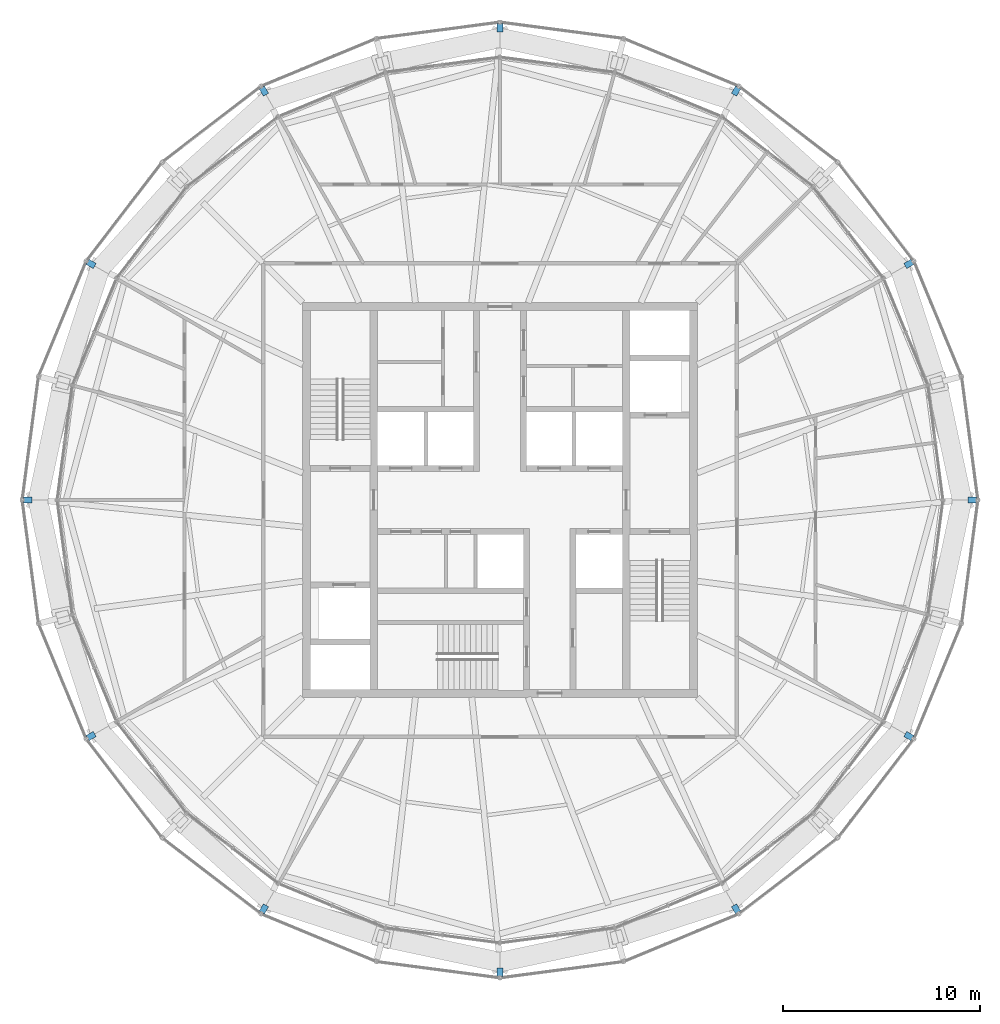
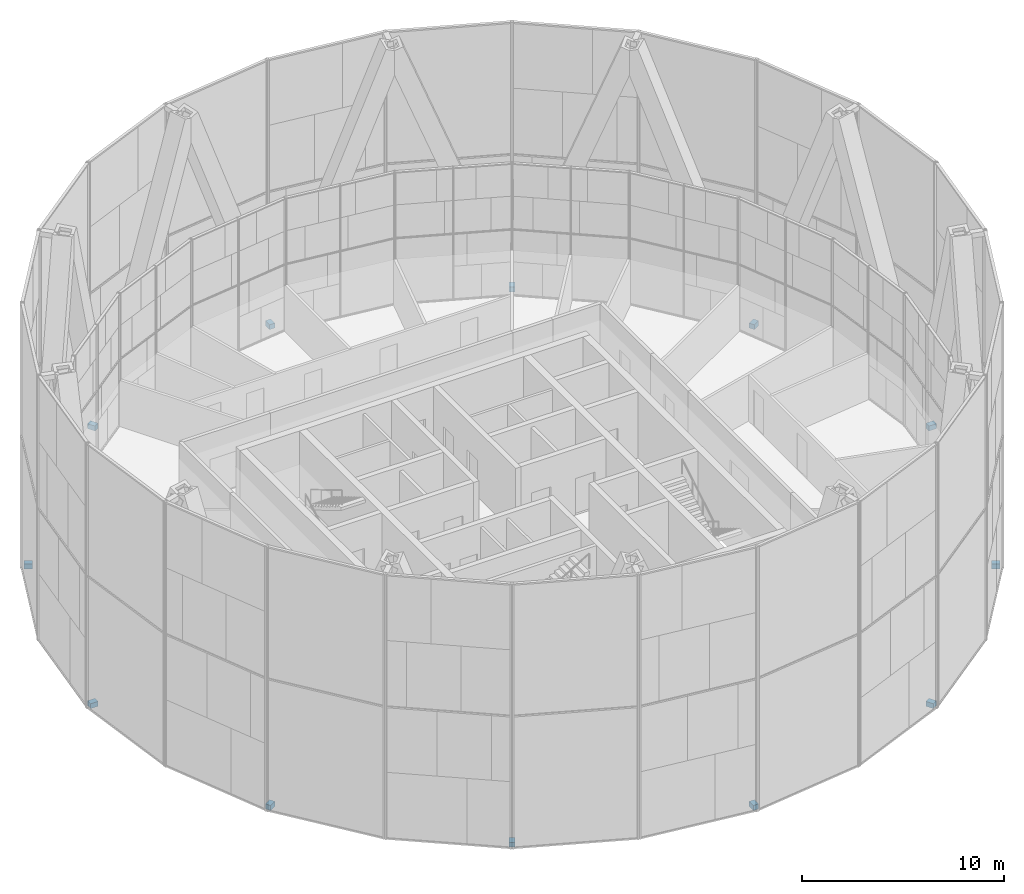
# One storey, part 21 of 22: 12 discrete accessories.
"""IFC4 building model written with IfcOpenShell, lengths in metres."""

import ifcopenshell
import ifcopenshell.guid

model = None  # the IFC model being written
_history = None  # IfcOwnerHistory: only IFC2X3 demands one
_inside = {}  # id of a spatial element -> (the spatial element, [elements in it])
_under = {}  # id of a project, library or spatial element -> (it, [spatial elements below it])
_declared = {}  # id of a project -> (the project, [libraries it declares])
_typed = {}  # id of a type object -> (the type object, [elements of that type])
_made_of = {}  # id of a material, layer set ... -> (it, [elements and type objects made of it])


def new_model(schema):
    """Start an empty IFC model of exactly this schema.

    Asked for "IFC4X3", IfcOpenShell would pick the latest addendum, in which some entities
    have other attributes; the version numbers below select the first issue.
    IFC2X3 requires an IfcOwnerHistory on every rooted entity: one is made here for all.
    """
    global model, _history
    if schema == "IFC4X3":
        model = ifcopenshell.file(schema_version=(4, 3, 0, 0))
    else:
        model = ifcopenshell.file(schema=schema)
    _inside.clear()
    _under.clear()
    _declared.clear()
    _typed.clear()
    _made_of.clear()
    _history = None
    if model.schema == "IFC2X3":
        org = make("IfcOrganization", Name="unknown")
        user = make(
            "IfcPersonAndOrganization",
            ThePerson=make("IfcPerson", FamilyName="unknown"),
            TheOrganization=org,
        )
        app = make(
            "IfcApplication",
            ApplicationDeveloper=org,
            Version="unknown",
            ApplicationFullName="unknown",
            ApplicationIdentifier="unknown",
        )
        _history = make(
            "IfcOwnerHistory",
            OwningUser=user,
            OwningApplication=app,
            ChangeAction="ADDED",
            CreationDate=0,
        )
    return model


def make(cls, **values):
    """One entity of the class cls with the attributes given. An attribute that is None is left unset."""
    return model.create_entity(
        cls, **{name: value for name, value in values.items() if value is not None}
    )


def rooted(cls, **values):
    """An entity with a GlobalId (a new one), such as an element, a storey or a relation."""
    return make(cls, GlobalId=ifcopenshell.guid.new(), OwnerHistory=_history, **values)


def si_unit(unit_type, name, prefix=None):
    """IfcSIUnit, for example si_unit("LENGTHUNIT", "METRE", prefix="MILLI")."""
    return make("IfcSIUnit", UnitType=unit_type, Prefix=prefix, Name=name)


def assignment(units):
    """IfcUnitAssignment: the units of a project."""
    return None if units is None else make("IfcUnitAssignment", Units=units)


def point(xyz):
    """IfcCartesianPoint."""
    return None if xyz is None else make("IfcCartesianPoint", Coordinates=xyz)


def direction(xyz):
    """IfcDirection."""
    return None if xyz is None else make("IfcDirection", DirectionRatios=xyz)


def frame(location, z_axis=None, x_axis=None):
    """IfcAxis2Placement3D, a coordinate frame: its origin and axes. An axis left out is left unset."""
    return make(
        "IfcAxis2Placement3D",
        Location=point(location),
        Axis=direction(z_axis),
        RefDirection=direction(x_axis),
    )


def frame_2d(location, x_axis=None):
    """IfcAxis2Placement2D, a coordinate frame in the plane: its origin and x axis."""
    return make(
        "IfcAxis2Placement2D", Location=point(location), RefDirection=direction(x_axis)
    )


def origin():
    """The frame at (0, 0, 0) with its axes left unset."""
    return frame((0.0, 0.0, 0.0))


def origin_2d():
    """The frame at (0, 0) in the plane with its x axis left unset."""
    return frame_2d((0.0, 0.0))


def place(relative_to, where):
    """IfcLocalPlacement: puts the frame where relative to a parent placement (None: the world)."""
    return make(
        "IfcLocalPlacement", PlacementRelTo=relative_to, RelativePlacement=where
    )


def context(
    kind, dimensions, precision=None, world=None, true_north=None, identifier=None
):
    """IfcGeometricRepresentationContext, for example the 3D "Model" context."""
    return make(
        "IfcGeometricRepresentationContext",
        ContextIdentifier=identifier,
        ContextType=kind,
        CoordinateSpaceDimension=dimensions,
        Precision=precision,
        WorldCoordinateSystem=world,
        TrueNorth=true_north,
    )


def subcontext(parent, identifier, kind, view, scale=None):
    """IfcGeometricRepresentationSubContext, for example "Body" below "Model"."""
    return make(
        "IfcGeometricRepresentationSubContext",
        ContextIdentifier=identifier,
        ContextType=kind,
        ParentContext=parent,
        TargetScale=scale,
        TargetView=view,
    )


def project(units=None, contexts=None):
    """IfcProject with its units and contexts."""
    return rooted(
        "IfcProject",
        Name="project",
        RepresentationContexts=contexts,
        UnitsInContext=assignment(units),
    )


def spatial(cls, under=None, at=None, **own):
    """A site, building, storey or space (cls), placed at a placement, below another one or the project."""
    s = rooted(cls, ObjectPlacement=at, **own)
    if under is not None:
        _under.setdefault(under.id(), (under, []))[1].append(s)
    return s


def profile(cls, at=None, kind="AREA", **sizes):
    """A parametric profile (cls). Its sizes go by their IFC names, for example OverallWidth=200.0."""
    return make(cls, ProfileType=kind, Position=at, **sizes)


def rectangle(**sizes):
    """IfcRectangleProfileDef."""
    return profile("IfcRectangleProfileDef", **sizes)


def extrude(swept, where, along, depth):
    """IfcExtrudedAreaSolid: the profile swept, set in the frame where, extruded along a direction by depth."""
    return make(
        "IfcExtrudedAreaSolid",
        SweptArea=swept,
        Position=where,
        ExtrudedDirection=direction(along),
        Depth=depth,
    )


def shape(context_of_items, identifier, shape_type, items):
    """IfcShapeRepresentation: the items that make up one representation, for example the "Body"."""
    return make(
        "IfcShapeRepresentation",
        ContextOfItems=context_of_items,
        RepresentationIdentifier=identifier,
        RepresentationType=shape_type,
        Items=items,
    )


def material(Name=None, Category=None):
    """IfcMaterial."""
    return make("IfcMaterial", Name=Name, Category=Category)


def made_of(thing, what):
    """Note that an element or type object is made of a material, layer set ...; save() writes the relation."""
    if what is not None:
        _made_of.setdefault(what.id(), (what, []))[1].append(thing)
    return thing


def type_object(cls, material=None, **own):
    """A type object (cls), such as IfcWallType, which elements share."""
    return made_of(rooted(cls, **own), material)


def element(
    cls,
    number,
    at=None,
    inside=None,
    cuts=None,
    type_object=None,
    material=None,
    context=None,
    identifier="Body",
    shape_type=None,
    held_by="IfcProductDefinitionShape",
    body=None,
    shapes=None,
    **own,
):
    """One element of the class cls, such as IfcWall. Its Tag is "e" and its number.

    at: its placement. inside: the storey or other place that contains it. cuts: it is an
    opening in that element (IfcRelVoidsElement). A single representation is given by context,
    identifier, shape_type and body (its items); several are given by shapes. held_by: the class
    of the entity that holds the representations. save() writes the other relations.
    """
    e = rooted(cls, Tag="e%d" % number, ObjectPlacement=at, **own)
    if body is not None:
        shapes = [shape(context, identifier, shape_type, body)]
    if shapes is not None:
        e.Representation = make(held_by, Representations=shapes)
    if inside is not None:
        _inside.setdefault(inside.id(), (inside, []))[1].append(e)
    if cuts is not None:
        rooted(
            "IfcRelVoidsElement", RelatingBuildingElement=cuts, RelatedOpeningElement=e
        )
    if type_object is not None:
        _typed.setdefault(type_object.id(), (type_object, []))[1].append(e)
    return made_of(e, material)


def aggregate(whole, parts):
    """IfcRelAggregates: a whole, such as a stair, and the parts it consists of."""
    return rooted("IfcRelAggregates", RelatingObject=whole, RelatedObjects=parts)


def save(model, path):
    """Write the relations noted so far, then the file.

    IfcRelAggregates (storeys below a building ...), IfcRelContainedInSpatialStructure (elements
    in a storey), IfcRelDefinesByType, IfcRelAssociatesMaterial and IfcRelDeclares: one each for
    every whole, place, type object, material and project.
    """
    for whole, parts in _under.values():
        aggregate(whole, parts)
    for where, things in _inside.values():
        rooted(
            "IfcRelContainedInSpatialStructure",
            RelatedElements=things,
            RelatingStructure=where,
        )
    for kind, things in _typed.values():
        rooted("IfcRelDefinesByType", RelatedObjects=things, RelatingType=kind)
    for what, things in _made_of.values():
        rooted("IfcRelAssociatesMaterial", RelatedObjects=things, RelatingMaterial=what)
    for by, libraries in _declared.values():
        rooted("IfcRelDeclares", RelatingContext=by, RelatedDefinitions=libraries)
    model.write(path)


model = new_model("IFC4")

# Units and contexts
model_context = context("Model", 3, precision=1e-05, world=origin(), true_north=direction((0.0, 1.0)))
body_context = subcontext(model_context, "Body", "Model", "MODEL_VIEW")
ifc_project = project(units=[si_unit("LENGTHUNIT", "METRE"), si_unit("AREAUNIT", "SQUARE_METRE"), si_unit("VOLUMEUNIT", "CUBIC_METRE"), si_unit("PLANEANGLEUNIT", "RADIAN"), si_unit("MASSUNIT", "GRAM", prefix="KILO")], contexts=[model_context])

# Site, building, storey
site_placement = place(None, origin())
site = spatial("IfcSite", under=ifc_project, at=site_placement, CompositionType="ELEMENT")
building_placement = place(site_placement, origin())
building = spatial("IfcBuilding", under=site, at=building_placement, Name="Golbaran Civic Tower", CompositionType="ELEMENT")
storey_placement = place(building_placement, frame((0.0, 0.0, 248.0)))
storey = spatial("IfcBuildingStorey", under=building, at=storey_placement, Name="L60", CompositionType="ELEMENT", Elevation=248.0)

# Discrete accessories
ifc_material = material(Name="Steel S355", Category="steel")
discrete_accessory_type = type_object("IfcDiscreteAccessoryType", Name="OUTER SKIN BRACKET", PredefinedType="BRACKET", material=ifc_material)
for number, where, z_axis, x_axis, name in (
    (1, (23.93310546875, 0.0, -0.7099609375), (0.0, 0.0, 1.0), (1.0, 0.0, 0.0), "Outer skin bracket L60 node 1"),
    (2, (20.7265625, 11.966552734375, -0.7099609375), (0.0, 0.0, 1.0), (0.866025403784, 0.5, 0.0), "Outer skin bracket L60 node 2"),
    (3, (11.966552734375, 20.7265625, -0.7099609375), (0.0, 0.0, 1.0), (0.5, 0.866025403784, 0.0), "Outer skin bracket L60 node 3"),
    (4, (0.0, 23.93310546875, -0.7099609375), (0.0, 0.0, 1.0), (0.0, 1.0, 0.0), "Outer skin bracket L60 node 4"),
    (5, (-11.966552734375, 20.7265625, -0.7099609375), (0.0, 0.0, 1.0), (-0.5, 0.866025403784, 0.0), "Outer skin bracket L60 node 5"),
    (6, (-20.7265625, 11.966552734375, -0.7099609375), (0.0, 0.0, 1.0), (-0.866025403784, 0.5, 0.0), "Outer skin bracket L60 node 6"),
    (7, (-23.93310546875, 0.0, -0.7099609375), (0.0, 0.0, 1.0), (-1.0, 0.0, 0.0), "Outer skin bracket L60 node 7"),
    (8, (-20.7265625, -11.966552734375, -0.7099609375), (0.0, 0.0, 1.0), (-0.866025403784, -0.5, 0.0), "Outer skin bracket L60 node 8"),
    (9, (-11.966552734375, -20.7265625, -0.7099609375), (0.0, 0.0, 1.0), (-0.5, -0.866025403784, 0.0), "Outer skin bracket L60 node 9"),
    (10, (0.0, -23.93310546875, -0.7099609375), (0.0, 0.0, 1.0), (0.0, -1.0, 0.0), "Outer skin bracket L60 node 10"),
    (11, (11.966552734375, -20.7265625, -0.7099609375), (0.0, 0.0, 1.0), (0.5, -0.866025403784, 0.0), "Outer skin bracket L60 node 11"),
    (12, (20.7265625, -11.966552734375, -0.7099609375), (0.0, 0.0, 1.0), (0.866025403784, -0.5, 0.0), "Outer skin bracket L60 node 12"),
):
    element("IfcDiscreteAccessory", number, at=place(storey_placement, frame(where, z_axis=z_axis, x_axis=x_axis)), inside=storey, type_object=discrete_accessory_type, Name=name, PredefinedType="BRACKET", context=body_context, shape_type="SweptSolid", body=[
        extrude(rectangle(XDim=0.419921875, YDim=0.300048828125, at=origin_2d()), origin(), (0.0, 0.0, 1.0), 0.300048828125),
    ])

save(model, "model.ifc")
